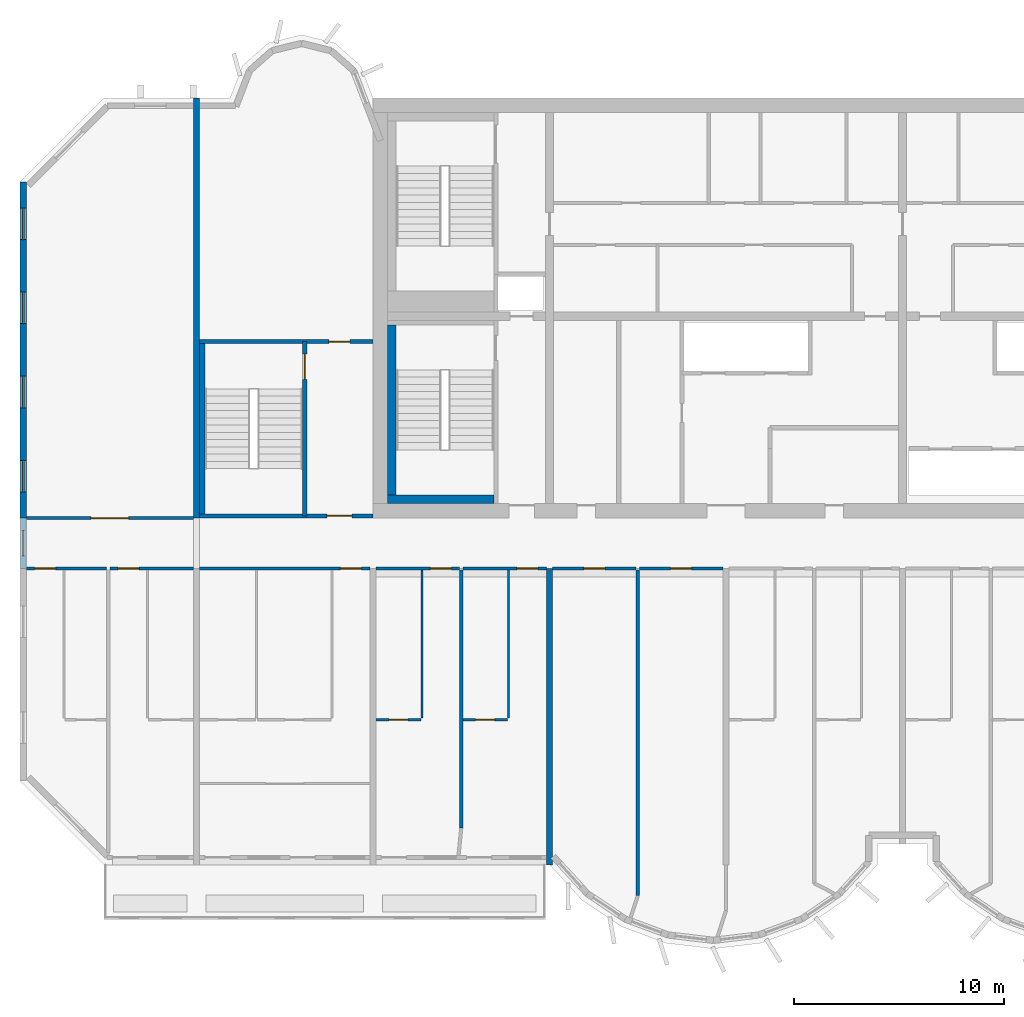
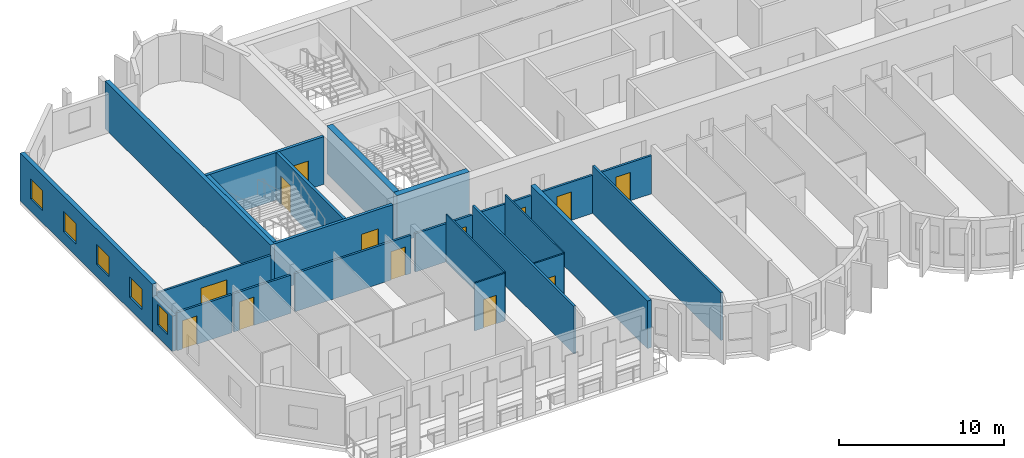
# One storey, part 3 of 13: 24 walls, 13 doors, 5 windows, 18 openings.
"""IFC4 building model written with IfcOpenShell, lengths in metres."""

from ifc_helpers import new_model, si_unit, direction, frame, frame_2d, origin, place, context, subcontext, project, spatial, rectangle, extrude, source, transform, mapped, material, layer, layer_set, type_object, element, fill, save


model = new_model("IFC4")

# Units and contexts
model_context = context("Model", 3, precision=1e-05, world=origin(), true_north=direction((0.0, 1.0)))
body_context = subcontext(model_context, "Body", "Model", "MODEL_VIEW")
ifc_project = project(units=[si_unit("LENGTHUNIT", "METRE"), si_unit("AREAUNIT", "SQUARE_METRE"), si_unit("VOLUMEUNIT", "CUBIC_METRE"), si_unit("PLANEANGLEUNIT", "RADIAN"), si_unit("MASSUNIT", "GRAM", prefix="KILO")], contexts=[model_context])

# Site, building, storey
site_placement = place(None, origin())
site = spatial("IfcSite", under=ifc_project, at=site_placement, CompositionType="ELEMENT")
building_placement = place(site_placement, origin())
building = spatial("IfcBuilding", under=site, at=building_placement, Name="Vanashikhar Sky Hotel", CompositionType="ELEMENT")
storey_placement = place(building_placement, frame((0.0, 0.0, 166.800048828125)))
storey = spatial("IfcBuildingStorey", under=building, at=storey_placement, Name="L40", CompositionType="ELEMENT", Elevation=166.800048828125)

# Wall, openings, windows
ifc_material_1 = material(Name="Concrete M60", Category="concrete")
ifc_layer_1 = layer(ifc_material_1, 0.300048828125)
ifc_layer_set_1 = layer_set([ifc_layer_1], Name="RC shear wall 300 Concrete M60")
wall_type_1 = type_object("IfcWallType", Name="RC shear wall 300 Concrete M60", PredefinedType="SHEAR", material=ifc_layer_set_1)
shared_shape_1 = source(origin(), body_context, "Body", "SweptSolid", [
    extrude(rectangle(XDim=16.0, YDim=0.300048828125, at=frame_2d((8.0, 0.0))), origin(), (0.0, 0.0, 1.0), 3.52001953125),
])
wall_1_placement = place(storey_placement, frame((8.550048828125, 22.0, 0.0), z_axis=(0.0, 0.0, 1.0), x_axis=(0.0, 1.0, 0.0)))
wall_1 = element("IfcWall", 1, at=wall_1_placement, inside=storey, type_object=wall_type_1, Name="CW-L40-XW02-2", PredefinedType="SHEAR", context=body_context, shape_type="MappedRepresentation", body=[
    mapped(shared_shape_1, transform((0.0, 0.0, 0.0), scale=1.0)),
])
shared_shape_2 = source(origin(), body_context, "Body", "SweptSolid", [
    extrude(rectangle(XDim=1.5, YDim=1.5, at=frame_2d((0.75, 0.75))), frame((0.0, 0.16015625, 0.0), z_axis=(0.0, -1.0, 0.0), x_axis=(1.0, 0.0, 0.0)), (0.0, 0.0, 1.0), 0.320068359375),
])
opening_1_placement = place(wall_1_placement, frame((1.25, 0.0, 0.89990234375)))
opening_1 = element("IfcOpeningElement", 2, at=opening_1_placement, cuts=wall_1, Name="Opening WN-1", PredefinedType="OPENING", context=body_context, shape_type="MappedRepresentation", body=[
    mapped(shared_shape_2, transform((0.0, 0.0, 0.0), scale=1.0)),
])
opening_2_placement = place(wall_1_placement, frame((5.25, 0.0, 0.89990234375)))
opening_2 = element("IfcOpeningElement", 3, at=opening_2_placement, cuts=wall_1, Name="Opening WN-1", PredefinedType="OPENING", context=body_context, shape_type="MappedRepresentation", body=[
    mapped(shared_shape_2, transform((0.0, 0.0, 0.0), scale=1.0)),
])
opening_3_placement = place(wall_1_placement, frame((9.25, 0.0, 0.89990234375)))
opening_3 = element("IfcOpeningElement", 4, at=opening_3_placement, cuts=wall_1, Name="Opening WN-1", PredefinedType="OPENING", context=body_context, shape_type="MappedRepresentation", body=[
    mapped(shared_shape_2, transform((0.0, 0.0, 0.0), scale=1.0)),
])
opening_4_placement = place(wall_1_placement, frame((13.25, 0.0, 0.89990234375)))
opening_4 = element("IfcOpeningElement", 5, at=opening_4_placement, cuts=wall_1, Name="Opening WN-1", PredefinedType="OPENING", context=body_context, shape_type="MappedRepresentation", body=[
    mapped(shared_shape_2, transform((0.0, 0.0, 0.0), scale=1.0)),
])
ifc_material_2 = material(Name="Glass", Category="glass")
window_type_1 = type_object("IfcWindowType", Name="Window 1500 x 1500", PartitioningType="SINGLE_PANEL", PredefinedType="WINDOW", material=ifc_material_2)
shared_shape_3 = source(origin(), body_context, "Body", "SweptSolid", [
    extrude(rectangle(XDim=1.5, YDim=1.5, at=frame_2d((0.75, 0.75))), frame((0.0, 0.030029296875, 0.0), z_axis=(0.0, -1.0, 0.0), x_axis=(1.0, 0.0, 0.0)), (0.0, 0.0, 1.0), 0.06005859375),
])
window_1_placement = place(opening_1_placement, origin())
window_1 = element("IfcWindow", 6, at=window_1_placement, inside=storey, type_object=window_type_1, Name="Window WN-1", OverallHeight=1.5, OverallWidth=1.5, PartitioningType="SINGLE_PANEL", PredefinedType="WINDOW", context=body_context, shape_type="MappedRepresentation", body=[
    mapped(shared_shape_3, transform((0.0, 0.0, 0.0), scale=1.0)),
])
fill(opening_1, window_1)
window_2_placement = place(opening_2_placement, origin())
window_2 = element("IfcWindow", 7, at=window_2_placement, inside=storey, type_object=window_type_1, Name="Window WN-1", OverallHeight=1.5, OverallWidth=1.5, PartitioningType="SINGLE_PANEL", PredefinedType="WINDOW", context=body_context, shape_type="MappedRepresentation", body=[
    mapped(shared_shape_3, transform((0.0, 0.0, 0.0), scale=1.0)),
])
fill(opening_2, window_2)
window_3_placement = place(opening_3_placement, origin())
window_3 = element("IfcWindow", 8, at=window_3_placement, inside=storey, type_object=window_type_1, Name="Window WN-1", OverallHeight=1.5, OverallWidth=1.5, PartitioningType="SINGLE_PANEL", PredefinedType="WINDOW", context=body_context, shape_type="MappedRepresentation", body=[
    mapped(shared_shape_3, transform((0.0, 0.0, 0.0), scale=1.0)),
])
fill(opening_3, window_3)
window_4_placement = place(opening_4_placement, origin())
window_4 = element("IfcWindow", 9, at=window_4_placement, inside=storey, type_object=window_type_1, Name="Window WN-1", OverallHeight=1.5, OverallWidth=1.5, PartitioningType="SINGLE_PANEL", PredefinedType="WINDOW", context=body_context, shape_type="MappedRepresentation", body=[
    mapped(shared_shape_3, transform((0.0, 0.0, 0.0), scale=1.0)),
])
fill(opening_4, window_4)

# Walls
shared_shape_4 = source(origin(), body_context, "Body", "SweptSolid", [
    extrude(rectangle(XDim=14.10009765625, YDim=0.300048828125, at=frame_2d((7.050048828125, 0.0))), origin(), (0.0, 0.0, 1.0), 3.52001953125),
])
wall_2_placement = place(storey_placement, frame((33.60009765625, 5.5, 0.0), z_axis=(0.0, 0.0, 1.0), x_axis=(0.0, 1.0, 0.0)))
element("IfcWall", 10, at=wall_2_placement, inside=storey, type_object=wall_type_1, Name="CW-L40-XW05-1", PredefinedType="SHEAR", context=body_context, shape_type="MappedRepresentation", body=[
    mapped(shared_shape_4, transform((0.0, 0.0, 0.0), scale=1.0)),
])
shared_shape_5 = source(origin(), body_context, "Body", "SweptSolid", [
    extrude(rectangle(XDim=20.0, YDim=0.300048828125, at=frame_2d((10.0, 0.0))), origin(), (0.0, 0.0, 1.0), 3.52001953125),
])
wall_3_placement = place(storey_placement, frame((16.800048828125, 22.0, 0.0), z_axis=(0.0, 0.0, 1.0), x_axis=(0.0, 1.0, 0.0)))
element("IfcWall", 11, at=wall_3_placement, inside=storey, type_object=wall_type_1, Name="CW-L40-XW03-2", PredefinedType="SHEAR", context=body_context, shape_type="MappedRepresentation", body=[
    mapped(shared_shape_5, transform((0.0, 0.0, 0.0), scale=1.0)),
])

# Wall, opening, window
ifc_material_3 = material(Name="Concrete M50", Category="concrete")
ifc_layer_2 = layer(ifc_material_3, 0.25)
ifc_layer_set_2 = layer_set([ifc_layer_2], Name="Rear and end board-marked wall 250")
wall_type_2 = type_object("IfcWallType", Name="Rear and end board-marked wall 250", PredefinedType="SOLIDWALL", material=ifc_layer_set_2)
shared_shape_6 = source(origin(), body_context, "Body", "SweptSolid", [
    extrude(rectangle(XDim=2.39990234375, YDim=0.25, at=frame_2d((1.199951171875, 0.0))), origin(), (0.0, 0.0, 1.0), 2.619873046875),
])
wall_4_placement = place(storey_placement, frame((8.550048828125, 19.60009765625, 0.0), z_axis=(0.0, 0.0, 1.0), x_axis=(0.0, 1.0, 0.0)))
wall_4 = element("IfcWall", 12, at=wall_4_placement, inside=storey, type_object=wall_type_2, Name="End corridor infill wall", PredefinedType="SOLIDWALL", context=body_context, shape_type="MappedRepresentation", body=[
    mapped(shared_shape_6, transform((0.0, 0.0, 0.0), scale=1.0)),
])
shared_shape_7 = source(origin(), body_context, "Body", "SweptSolid", [
    extrude(rectangle(XDim=1.199951171875, YDim=1.5, at=frame_2d((0.60009765625, 0.75))), frame((0.0, 0.135009765625, 0.0), z_axis=(0.0, -1.0, 0.0), x_axis=(1.0, 0.0, 0.0)), (0.0, 0.0, 1.0), 0.27001953125),
])
opening_5_placement = place(wall_4_placement, frame((0.60009765625, 0.0, 0.89990234375)))
opening_5 = element("IfcOpeningElement", 13, at=opening_5_placement, cuts=wall_4, Name="Opening WN-3", PredefinedType="OPENING", context=body_context, shape_type="MappedRepresentation", body=[
    mapped(shared_shape_7, transform((0.0, 0.0, 0.0), scale=1.0)),
])
window_type_2 = type_object("IfcWindowType", Name="Corridor end window 1200 x 1500", PartitioningType="SINGLE_PANEL", PredefinedType="WINDOW", material=ifc_material_2)
shared_shape_8 = source(origin(), body_context, "Body", "SweptSolid", [
    extrude(rectangle(XDim=1.199951171875, YDim=1.5, at=frame_2d((0.60009765625, 0.75))), frame((0.0, 0.030029296875, 0.0), z_axis=(0.0, -1.0, 0.0), x_axis=(1.0, 0.0, 0.0)), (0.0, 0.0, 1.0), 0.06005859375),
])
window_5_placement = place(opening_5_placement, origin())
window_5 = element("IfcWindow", 14, at=window_5_placement, inside=storey, type_object=window_type_2, Name="Window WN-3", OverallHeight=1.5, OverallWidth=1.199951171875, PartitioningType="SINGLE_PANEL", PredefinedType="WINDOW", context=body_context, shape_type="MappedRepresentation", body=[
    mapped(shared_shape_8, transform((0.0, 0.0, 0.0), scale=1.0)),
])
fill(opening_5, window_5)

# Wall, opening, door
ifc_layer_3 = layer(ifc_material_3, 0.199951171875)
ifc_layer_set_3 = layer_set([ifc_layer_3], Name="Stair wall 200")
wall_type_3 = type_object("IfcWallType", Name="Stair wall 200", PredefinedType="SOLIDWALL", material=ifc_layer_set_3)
shared_shape_9 = source(origin(), body_context, "Body", "SweptSolid", [
    extrude(rectangle(XDim=8.2998046875, YDim=0.199951171875, at=frame_2d((4.14990234375, 0.0))), origin(), (0.0, 0.0, 1.0), 3.52001953125),
])
wall_5_placement = place(storey_placement, frame((21.949951171875, 22.10009765625, 0.0), z_axis=(0.0, 0.0, 1.0), x_axis=(0.0, 1.0, 0.0)))
wall_5 = element("IfcWall", 15, at=wall_5_placement, inside=storey, type_object=wall_type_3, Name="Stair wall 200", PredefinedType="SOLIDWALL", context=body_context, shape_type="MappedRepresentation", body=[
    mapped(shared_shape_9, transform((0.0, 0.0, 0.0), scale=1.0)),
])
shared_shape_10 = source(origin(), body_context, "Body", "SweptSolid", [
    extrude(rectangle(XDim=1.199951171875, YDim=2.10009765625, at=frame_2d((0.60009765625, 1.050048828125))), frame((0.0, 0.10986328125, 0.0), z_axis=(0.0, -1.0, 0.0), x_axis=(1.0, 0.0, 0.0)), (0.0, 0.0, 1.0), 0.219970703125),
])
opening_6_placement = place(wall_5_placement, frame((6.5, 0.0, 0.0)))
opening_6 = element("IfcOpeningElement", 16, at=opening_6_placement, cuts=wall_5, Name="Opening DC-1", PredefinedType="OPENING", context=body_context, shape_type="MappedRepresentation", body=[
    mapped(shared_shape_10, transform((0.0, 0.0, 0.0), scale=1.0)),
])
ifc_material_4 = material(Name="Steel", Category="steel")
door_type_1 = type_object("IfcDoorType", Name="Stair door 1200 FD120", OperationType="NOTDEFINED", PredefinedType="DOOR", material=ifc_material_4)
shared_shape_11 = source(origin(), body_context, "Body", "SweptSolid", [
    extrude(rectangle(XDim=1.199951171875, YDim=2.10009765625, at=frame_2d((0.60009765625, 1.050048828125))), frame((0.0, 0.02490234375, 0.0), z_axis=(0.0, -1.0, 0.0), x_axis=(1.0, 0.0, 0.0)), (0.0, 0.0, 1.0), 0.050048828125),
])
door_1_placement = place(opening_6_placement, origin())
door_1 = element("IfcDoor", 17, at=door_1_placement, inside=storey, type_object=door_type_1, Name="Stair door 1200 FD120", OperationType="SINGLE_SWING_RIGHT", OverallHeight=2.10009765625, OverallWidth=1.199951171875, PredefinedType="DOOR", context=body_context, shape_type="MappedRepresentation", body=[
    mapped(shared_shape_11, transform((0.0, 0.0, 0.0), scale=1.0)),
])
fill(opening_6, door_1)

shared_shape_12 = source(origin(), body_context, "Body", "SweptSolid", [
    extrude(rectangle(XDim=8.25, YDim=0.199951171875, at=frame_2d((4.125, 0.0))), origin(), (0.0, 0.0, 1.0), 3.52001953125),
])
wall_6_placement = place(storey_placement, frame((16.949951171875, 22.10009765625, 0.0), z_axis=(0.0, 0.0, 1.0), x_axis=(1.0, 0.0, 0.0)))
wall_6 = element("IfcWall", 18, at=wall_6_placement, inside=storey, type_object=wall_type_3, Name="Stair wall 200", PredefinedType="SOLIDWALL", context=body_context, shape_type="MappedRepresentation", body=[
    mapped(shared_shape_12, transform((0.0, 0.0, 0.0), scale=1.0)),
])
opening_7_placement = place(wall_6_placement, frame((6.050048828125, 0.0, 0.0)))
opening_7 = element("IfcOpeningElement", 19, at=opening_7_placement, cuts=wall_6, Name="Opening DC-2", PredefinedType="OPENING", context=body_context, shape_type="MappedRepresentation", body=[
    mapped(shared_shape_10, transform((0.0, 0.0, 0.0), scale=1.0)),
])
door_type_2 = type_object("IfcDoorType", Name="Firefighting lobby door 1200 FD120", OperationType="NOTDEFINED", PredefinedType="DOOR", material=ifc_material_4)
door_2_placement = place(opening_7_placement, origin())
door_2 = element("IfcDoor", 20, at=door_2_placement, inside=storey, type_object=door_type_2, Name="Firefighting lobby door 1200 FD120", OperationType="SINGLE_SWING_RIGHT", OverallHeight=2.10009765625, OverallWidth=1.199951171875, PredefinedType="DOOR", context=body_context, shape_type="MappedRepresentation", body=[
    mapped(shared_shape_11, transform((0.0, 0.0, 0.0), scale=1.0)),
])
fill(opening_7, door_2)

wall_7_placement = place(storey_placement, frame((16.949951171875, 30.39990234375, 0.0), z_axis=(0.0, 0.0, 1.0), x_axis=(1.0, 0.0, 0.0)))
wall_7 = element("IfcWall", 21, at=wall_7_placement, inside=storey, type_object=wall_type_3, Name="Stair wall 200", PredefinedType="SOLIDWALL", context=body_context, shape_type="MappedRepresentation", body=[
    mapped(shared_shape_12, transform((0.0, 0.0, 0.0), scale=1.0)),
])
shared_shape_13 = source(origin(), body_context, "Body", "SweptSolid", [
    extrude(rectangle(XDim=1.0, YDim=2.10009765625, at=frame_2d((0.5, 1.050048828125))), frame((0.0, 0.10986328125, 0.0), z_axis=(0.0, -1.0, 0.0), x_axis=(1.0, 0.0, 0.0)), (0.0, 0.0, 1.0), 0.219970703125),
])
opening_8_placement = place(wall_7_placement, frame((6.14990234375, 0.0, 0.0)))
opening_8 = element("IfcOpeningElement", 22, at=opening_8_placement, cuts=wall_7, Name="Opening DC-6", PredefinedType="OPENING", context=body_context, shape_type="MappedRepresentation", body=[
    mapped(shared_shape_13, transform((0.0, 0.0, 0.0), scale=1.0)),
])
door_type_3 = type_object("IfcDoorType", Name="Pocket door 1000 FD60", OperationType="NOTDEFINED", PredefinedType="DOOR", material=ifc_material_4)
shared_shape_14 = source(origin(), body_context, "Body", "SweptSolid", [
    extrude(rectangle(XDim=1.0, YDim=2.10009765625, at=frame_2d((0.5, 1.050048828125))), frame((0.0, 0.02490234375, 0.0), z_axis=(0.0, -1.0, 0.0), x_axis=(1.0, 0.0, 0.0)), (0.0, 0.0, 1.0), 0.050048828125),
])
door_3_placement = place(opening_8_placement, origin())
door_3 = element("IfcDoor", 23, at=door_3_placement, inside=storey, type_object=door_type_3, Name="Pocket door 1000 FD60", OperationType="SINGLE_SWING_RIGHT", OverallHeight=2.10009765625, OverallWidth=1.0, PredefinedType="DOOR", context=body_context, shape_type="MappedRepresentation", body=[
    mapped(shared_shape_14, transform((0.0, 0.0, 0.0), scale=1.0)),
])
fill(opening_8, door_3)

# Walls
ifc_layer_4 = layer(ifc_material_3, 0.39990234375)
ifc_layer_set_4 = layer_set([ifc_layer_4], Name="Stair infill wall 400")
wall_type_4 = type_object("IfcWallType", Name="Stair infill wall 400", PredefinedType="SOLIDWALL", material=ifc_layer_set_4)
shared_shape_15 = source(origin(), body_context, "Body", "SweptSolid", [
    extrude(rectangle(XDim=5.050048828125, YDim=0.39990234375, at=frame_2d((2.52490234375, 0.0))), origin(), (0.0, 0.0, 1.0), 3.52001953125),
])
wall_8_placement = place(storey_placement, frame((25.89990234375, 22.89990234375, 0.0), z_axis=(0.0, 0.0, 1.0), x_axis=(1.0, 0.0, 0.0)))
element("IfcWall", 24, at=wall_8_placement, inside=storey, type_object=wall_type_4, Name="Stair infill wall 400", PredefinedType="SOLIDWALL", context=body_context, shape_type="MappedRepresentation", body=[
    mapped(shared_shape_15, transform((0.0, 0.0, 0.0), scale=1.0)),
])
shared_shape_16 = source(origin(), body_context, "Body", "SweptSolid", [
    extrude(rectangle(XDim=8.099853515625, YDim=0.39990234375, at=frame_2d((4.0498046875, 0.0))), origin(), (0.0, 0.0, 1.0), 3.52001953125),
])
wall_9_placement = place(storey_placement, frame((26.10009765625, 23.10009765625, 0.0), z_axis=(0.0, 0.0, 1.0), x_axis=(0.0, 1.0, 0.0)))
element("IfcWall", 25, at=wall_9_placement, inside=storey, type_object=wall_type_4, Name="Stair infill wall 400", PredefinedType="SOLIDWALL", context=body_context, shape_type="MappedRepresentation", body=[
    mapped(shared_shape_16, transform((0.0, 0.0, 0.0), scale=1.0)),
])
ifc_layer_5 = layer(ifc_material_3, 0.25)
ifc_layer_set_5 = layer_set([ifc_layer_5], Name="Stair infill wall 250")
wall_type_5 = type_object("IfcWallType", Name="Stair infill wall 250", PredefinedType="SOLIDWALL", material=ifc_layer_set_5)
shared_shape_17 = source(origin(), body_context, "Body", "SweptSolid", [
    extrude(rectangle(XDim=8.10009765625, YDim=0.25, at=frame_2d((4.050048828125, 0.0))), origin(), (0.0, 0.0, 1.0), 3.52001953125),
])
wall_10_placement = place(storey_placement, frame((17.074951171875, 22.199951171875, 0.0), z_axis=(0.0, 0.0, 1.0), x_axis=(0.0, 1.0, 0.0)))
element("IfcWall", 26, at=wall_10_placement, inside=storey, type_object=wall_type_5, Name="Stair infill wall 250", PredefinedType="SOLIDWALL", context=body_context, shape_type="MappedRepresentation", body=[
    mapped(shared_shape_17, transform((0.0, 0.0, 0.0), scale=1.0)),
])
ifc_material_5 = material(Name="Gypsum plasterboard partition")
ifc_layer_6 = layer(ifc_material_5, 0.10009765625)
ifc_layer_set_6 = layer_set([ifc_layer_6], Name="Wet room partition 100")
wall_type_6 = type_object("IfcWallType", Name="Wet room partition 100", PredefinedType="PARTITIONING", material=ifc_layer_set_6)
shared_shape_18 = source(origin(), body_context, "Body", "SweptSolid", [
    extrude(rectangle(XDim=7.0498046875, YDim=0.10009765625, at=frame_2d((3.52490234375, 0.0))), origin(), (0.0, 0.0, 1.0), 3.52001953125),
])
for number, where, z_axis, x_axis, name in (
    (27, (27.52490234375, 12.47509765625, 0.0), (0.0, 0.0, 1.0), (0.0, 1.0, 0.0), "W-L40-PW014"),
    (28, (31.64990234375, 12.47509765625, 0.0), (0.0, 0.0, 1.0), (0.0, 1.0, 0.0), "W-L40-PW017"),
):
    element("IfcWall", number, at=place(storey_placement, frame(where, z_axis=z_axis, x_axis=x_axis)), inside=storey, type_object=wall_type_6, Name=name, PredefinedType="PARTITIONING", context=body_context, shape_type="MappedRepresentation", body=[
        mapped(shared_shape_18, transform((0.0, 0.0, 0.0), scale=1.0)),
    ])

# Wall, opening, door
ifc_layer_7 = layer(ifc_material_5, 0.14990234375)
ifc_layer_set_7 = layer_set([ifc_layer_7], Name="Corridor and demising partition 150")
wall_type_7 = type_object("IfcWallType", Name="Corridor and demising partition 150", PredefinedType="PARTITIONING", material=ifc_layer_set_7)
shared_shape_19 = source(origin(), body_context, "Body", "SweptSolid", [
    extrude(rectangle(XDim=7.949951171875, YDim=0.14990234375, at=frame_2d((3.97509765625, 0.0))), origin(), (0.0, 0.0, 1.0), 2.820068359375),
])
wall_11_placement = place(storey_placement, frame((8.699951171875, 22.0, 0.0), z_axis=(0.0, 0.0, 1.0), x_axis=(1.0, 0.0, 0.0)))
wall_11 = element("IfcWall", 29, at=wall_11_placement, inside=storey, type_object=wall_type_7, Name="W-L40-PW059", PredefinedType="PARTITIONING", context=body_context, shape_type="MappedRepresentation", body=[
    mapped(shared_shape_19, transform((0.0, 0.0, 0.0), scale=1.0)),
])
shared_shape_20 = source(origin(), body_context, "Body", "SweptSolid", [
    extrude(rectangle(XDim=1.800048828125, YDim=2.10009765625, at=frame_2d((0.89990234375, 1.050048828125))), frame((0.0, 0.0849609375, 0.0), z_axis=(0.0, -1.0, 0.0), x_axis=(1.0, 0.0, 0.0)), (0.0, 0.0, 1.0), 0.169921875),
])
opening_9_placement = place(wall_11_placement, frame((3.074951171875, 0.0, 0.0)))
opening_9 = element("IfcOpeningElement", 30, at=opening_9_placement, cuts=wall_11, Name="Opening D-03", PredefinedType="OPENING", context=body_context, shape_type="MappedRepresentation", body=[
    mapped(shared_shape_20, transform((0.0, 0.0, 0.0), scale=1.0)),
])
ifc_material_6 = material(Name="Timber fire door", Category="wood")
door_type_4 = type_object("IfcDoorType", Name="Double leaf door 1800 FD30S", OperationType="NOTDEFINED", PredefinedType="DOOR", material=ifc_material_6)
shared_shape_21 = source(origin(), body_context, "Body", "SweptSolid", [
    extrude(rectangle(XDim=1.800048828125, YDim=2.10009765625, at=frame_2d((0.89990234375, 1.050048828125))), frame((0.0, 0.02490234375, 0.0), z_axis=(0.0, -1.0, 0.0), x_axis=(1.0, 0.0, 0.0)), (0.0, 0.0, 1.0), 0.050048828125),
])
door_4_placement = place(opening_9_placement, origin())
door_4 = element("IfcDoor", 31, at=door_4_placement, inside=storey, type_object=door_type_4, Name="D-L40-035", OperationType="DOUBLE_DOOR_SINGLE_SWING", OverallHeight=2.10009765625, OverallWidth=1.800048828125, PredefinedType="DOOR", context=body_context, shape_type="MappedRepresentation", body=[
    mapped(shared_shape_21, transform((0.0, 0.0, 0.0), scale=1.0)),
])
fill(opening_9, door_4)

# Walls
shared_shape_22 = source(origin(), body_context, "Body", "SweptSolid", [
    extrude(rectangle(XDim=12.27490234375, YDim=0.14990234375, at=frame_2d((6.137451171875, 0.0))), origin(), (0.0, 0.0, 1.0), 3.52001953125),
])
wall_12_placement = place(storey_placement, frame((29.39990234375, 7.25, 0.0), z_axis=(0.0, 0.0, 1.0), x_axis=(0.0, 1.0, 0.0)))
element("IfcWall", 32, at=wall_12_placement, inside=storey, type_object=wall_type_7, Name="W-L40-PW020", PredefinedType="PARTITIONING", context=body_context, shape_type="MappedRepresentation", body=[
    mapped(shared_shape_22, transform((0.0, 0.0, 0.0), scale=1.0)),
])
shared_shape_23 = source(origin(), body_context, "Body", "SweptSolid", [
    extrude(rectangle(XDim=15.497802734375, YDim=0.14990234375, at=frame_2d((7.7490234375, 0.0))), origin(), (0.0, 0.0, 1.0), 3.52001953125),
])
wall_13_placement = place(storey_placement, frame((37.800048828125, 4.027099609375, 0.0), z_axis=(0.0, 0.0, 1.0), x_axis=(0.0, 1.0, 0.0)))
element("IfcWall", 33, at=wall_13_placement, inside=storey, type_object=wall_type_7, Name="W-L40-PW023", PredefinedType="PARTITIONING", context=body_context, shape_type="MappedRepresentation", body=[
    mapped(shared_shape_23, transform((0.0, 0.0, 0.0), scale=1.0)),
])

# Wall, opening, door
shared_shape_24 = source(origin(), body_context, "Body", "SweptSolid", [
    extrude(rectangle(XDim=2.125, YDim=0.10009765625, at=frame_2d((1.0625, 0.0))), origin(), (0.0, 0.0, 1.0), 3.52001953125),
])
wall_14_placement = place(storey_placement, frame((25.35009765625, 12.39990234375, 0.0), z_axis=(0.0, 0.0, 1.0), x_axis=(1.0, 0.0, 0.0)))
wall_14 = element("IfcWall", 34, at=wall_14_placement, inside=storey, type_object=wall_type_6, Name="W-L40-PW015", PredefinedType="PARTITIONING", context=body_context, shape_type="MappedRepresentation", body=[
    mapped(shared_shape_24, transform((0.0, 0.0, 0.0), scale=1.0)),
])
shared_shape_25 = source(origin(), body_context, "Body", "SweptSolid", [
    extrude(rectangle(XDim=0.89990234375, YDim=2.10009765625, at=frame_2d((0.449951171875, 1.050048828125))), frame((0.0, 0.06005859375, 0.0), z_axis=(0.0, -1.0, 0.0), x_axis=(1.0, 0.0, 0.0)), (0.0, 0.0, 1.0), 0.1201171875),
])
opening_10_placement = place(wall_14_placement, frame((0.613037109375, 0.0, 0.0)))
opening_10 = element("IfcOpeningElement", 35, at=opening_10_placement, cuts=wall_14, Name="Opening D-02", PredefinedType="OPENING", context=body_context, shape_type="MappedRepresentation", body=[
    mapped(shared_shape_25, transform((0.0, 0.0, 0.0), scale=1.0)),
])
ifc_material_7 = material(Name="Timber door", Category="wood")
door_type_5 = type_object("IfcDoorType", Name="Internal door 900", OperationType="NOTDEFINED", PredefinedType="DOOR", material=ifc_material_7)
shared_shape_26 = source(origin(), body_context, "Body", "SweptSolid", [
    extrude(rectangle(XDim=0.89990234375, YDim=2.10009765625, at=frame_2d((0.449951171875, 1.050048828125))), frame((0.0, 0.02490234375, 0.0), z_axis=(0.0, -1.0, 0.0), x_axis=(1.0, 0.0, 0.0)), (0.0, 0.0, 1.0), 0.050048828125),
])
door_5_placement = place(opening_10_placement, origin())
door_5 = element("IfcDoor", 36, at=door_5_placement, inside=storey, type_object=door_type_5, Name="D-L40-009", OperationType="SINGLE_SWING_RIGHT", OverallHeight=2.10009765625, OverallWidth=0.89990234375, PredefinedType="DOOR", context=body_context, shape_type="MappedRepresentation", body=[
    mapped(shared_shape_26, transform((0.0, 0.0, 0.0), scale=1.0)),
])
fill(opening_10, door_5)

wall_15_placement = place(storey_placement, frame((29.47509765625, 12.39990234375, 0.0), z_axis=(0.0, 0.0, 1.0), x_axis=(1.0, 0.0, 0.0)))
wall_15 = element("IfcWall", 37, at=wall_15_placement, inside=storey, type_object=wall_type_6, Name="W-L40-PW018", PredefinedType="PARTITIONING", context=body_context, shape_type="MappedRepresentation", body=[
    mapped(shared_shape_24, transform((0.0, 0.0, 0.0), scale=1.0)),
])
opening_11_placement = place(wall_15_placement, frame((0.613037109375, 0.0, 0.0)))
opening_11 = element("IfcOpeningElement", 38, at=opening_11_placement, cuts=wall_15, Name="Opening D-02", PredefinedType="OPENING", context=body_context, shape_type="MappedRepresentation", body=[
    mapped(shared_shape_25, transform((0.0, 0.0, 0.0), scale=1.0)),
])
door_6_placement = place(opening_11_placement, origin())
door_6 = element("IfcDoor", 39, at=door_6_placement, inside=storey, type_object=door_type_5, Name="D-L40-011", OperationType="SINGLE_SWING_RIGHT", OverallHeight=2.10009765625, OverallWidth=0.89990234375, PredefinedType="DOOR", context=body_context, shape_type="MappedRepresentation", body=[
    mapped(shared_shape_26, transform((0.0, 0.0, 0.0), scale=1.0)),
])
fill(opening_11, door_6)

shared_shape_27 = source(origin(), body_context, "Body", "SweptSolid", [
    extrude(rectangle(XDim=8.10009765625, YDim=0.14990234375, at=frame_2d((4.050048828125, 0.0))), origin(), (0.0, 0.0, 1.0), 2.820068359375),
])
wall_16_placement = place(storey_placement, frame((16.949951171875, 19.60009765625, 0.0), z_axis=(0.0, 0.0, 1.0), x_axis=(1.0, 0.0, 0.0)))
wall_16 = element("IfcWall", 40, at=wall_16_placement, inside=storey, type_object=wall_type_7, Name="W-L40-PW013", PredefinedType="PARTITIONING", context=body_context, shape_type="MappedRepresentation", body=[
    mapped(shared_shape_27, transform((0.0, 0.0, 0.0), scale=1.0)),
])
shared_shape_28 = source(origin(), body_context, "Body", "SweptSolid", [
    extrude(rectangle(XDim=1.0, YDim=2.10009765625, at=frame_2d((0.5, 1.050048828125))), frame((0.0, 0.0849609375, 0.0), z_axis=(0.0, -1.0, 0.0), x_axis=(1.0, 0.0, 0.0)), (0.0, 0.0, 1.0), 0.169921875),
])
opening_12_placement = place(wall_16_placement, frame((6.699951171875, 0.0, 0.0)))
opening_12 = element("IfcOpeningElement", 41, at=opening_12_placement, cuts=wall_16, Name="Opening D-01", PredefinedType="OPENING", context=body_context, shape_type="MappedRepresentation", body=[
    mapped(shared_shape_28, transform((0.0, 0.0, 0.0), scale=1.0)),
])
door_type_6 = type_object("IfcDoorType", Name="Guest entry door 1000 FD30S", OperationType="NOTDEFINED", PredefinedType="DOOR", material=ifc_material_6)
door_7_placement = place(opening_12_placement, origin())
door_7 = element("IfcDoor", 42, at=door_7_placement, inside=storey, type_object=door_type_6, Name="D-L40-008", OperationType="SINGLE_SWING_RIGHT", OverallHeight=2.10009765625, OverallWidth=1.0, PredefinedType="DOOR", context=body_context, shape_type="MappedRepresentation", body=[
    mapped(shared_shape_14, transform((0.0, 0.0, 0.0), scale=1.0)),
])
fill(opening_12, door_7)

shared_shape_29 = source(origin(), body_context, "Body", "SweptSolid", [
    extrude(rectangle(XDim=3.974853515625, YDim=0.14990234375, at=frame_2d((1.9873046875, 0.0))), origin(), (0.0, 0.0, 1.0), 2.820068359375),
])
wall_17_placement = place(storey_placement, frame((12.675048828125, 19.60009765625, 0.0), z_axis=(0.0, 0.0, 1.0), x_axis=(1.0, 0.0, 0.0)))
wall_17 = element("IfcWall", 43, at=wall_17_placement, inside=storey, type_object=wall_type_7, Name="W-L40-PW006", PredefinedType="PARTITIONING", context=body_context, shape_type="MappedRepresentation", body=[
    mapped(shared_shape_29, transform((0.0, 0.0, 0.0), scale=1.0)),
])
opening_13_placement = place(wall_17_placement, frame((0.39990234375, 0.0, 0.0)))
opening_13 = element("IfcOpeningElement", 44, at=opening_13_placement, cuts=wall_17, Name="Opening D-01", PredefinedType="OPENING", context=body_context, shape_type="MappedRepresentation", body=[
    mapped(shared_shape_28, transform((0.0, 0.0, 0.0), scale=1.0)),
])
door_8_placement = place(opening_13_placement, origin())
door_8 = element("IfcDoor", 45, at=door_8_placement, inside=storey, type_object=door_type_6, Name="D-L40-004", OperationType="SINGLE_SWING_LEFT", OverallHeight=2.10009765625, OverallWidth=1.0, PredefinedType="DOOR", context=body_context, shape_type="MappedRepresentation", body=[
    mapped(shared_shape_14, transform((0.0, 0.0, 0.0), scale=1.0)),
])
fill(opening_13, door_8)

wall_18_placement = place(storey_placement, frame((25.35009765625, 19.60009765625, 0.0), z_axis=(0.0, 0.0, 1.0), x_axis=(1.0, 0.0, 0.0)))
wall_18 = element("IfcWall", 46, at=wall_18_placement, inside=storey, type_object=wall_type_7, Name="W-L40-PW016", PredefinedType="PARTITIONING", context=body_context, shape_type="MappedRepresentation", body=[
    mapped(shared_shape_29, transform((0.0, 0.0, 0.0), scale=1.0)),
])
opening_14_placement = place(wall_18_placement, frame((2.574951171875, 0.0, 0.0)))
opening_14 = element("IfcOpeningElement", 47, at=opening_14_placement, cuts=wall_18, Name="Opening D-01", PredefinedType="OPENING", context=body_context, shape_type="MappedRepresentation", body=[
    mapped(shared_shape_28, transform((0.0, 0.0, 0.0), scale=1.0)),
])
door_9_placement = place(opening_14_placement, origin())
door_9 = element("IfcDoor", 48, at=door_9_placement, inside=storey, type_object=door_type_6, Name="D-L40-010", OperationType="SINGLE_SWING_RIGHT", OverallHeight=2.10009765625, OverallWidth=1.0, PredefinedType="DOOR", context=body_context, shape_type="MappedRepresentation", body=[
    mapped(shared_shape_14, transform((0.0, 0.0, 0.0), scale=1.0)),
])
fill(opening_14, door_9)

wall_19_placement = place(storey_placement, frame((29.47509765625, 19.60009765625, 0.0), z_axis=(0.0, 0.0, 1.0), x_axis=(1.0, 0.0, 0.0)))
wall_19 = element("IfcWall", 49, at=wall_19_placement, inside=storey, type_object=wall_type_7, Name="W-L40-PW019", PredefinedType="PARTITIONING", context=body_context, shape_type="MappedRepresentation", body=[
    mapped(shared_shape_29, transform((0.0, 0.0, 0.0), scale=1.0)),
])
opening_15_placement = place(wall_19_placement, frame((2.574951171875, 0.0, 0.0)))
opening_15 = element("IfcOpeningElement", 50, at=opening_15_placement, cuts=wall_19, Name="Opening D-01", PredefinedType="OPENING", context=body_context, shape_type="MappedRepresentation", body=[
    mapped(shared_shape_28, transform((0.0, 0.0, 0.0), scale=1.0)),
])
door_10_placement = place(opening_15_placement, origin())
door_10 = element("IfcDoor", 51, at=door_10_placement, inside=storey, type_object=door_type_6, Name="D-L40-012", OperationType="SINGLE_SWING_RIGHT", OverallHeight=2.10009765625, OverallWidth=1.0, PredefinedType="DOOR", context=body_context, shape_type="MappedRepresentation", body=[
    mapped(shared_shape_14, transform((0.0, 0.0, 0.0), scale=1.0)),
])
fill(opening_15, door_10)

shared_shape_30 = source(origin(), body_context, "Body", "SweptSolid", [
    extrude(rectangle(XDim=3.97509765625, YDim=0.14990234375, at=frame_2d((1.987548828125, 0.0))), origin(), (0.0, 0.0, 1.0), 2.820068359375),
])
wall_20_placement = place(storey_placement, frame((33.75, 19.60009765625, 0.0), z_axis=(0.0, 0.0, 1.0), x_axis=(1.0, 0.0, 0.0)))
wall_20 = element("IfcWall", 52, at=wall_20_placement, inside=storey, type_object=wall_type_7, Name="W-L40-PW021", PredefinedType="PARTITIONING", context=body_context, shape_type="MappedRepresentation", body=[
    mapped(shared_shape_30, transform((0.0, 0.0, 0.0), scale=1.0)),
])
opening_16_placement = place(wall_20_placement, frame((1.487060546875, 0.0, 0.0)))
opening_16 = element("IfcOpeningElement", 53, at=opening_16_placement, cuts=wall_20, Name="Opening D-01", PredefinedType="OPENING", context=body_context, shape_type="MappedRepresentation", body=[
    mapped(shared_shape_28, transform((0.0, 0.0, 0.0), scale=1.0)),
])
door_11_placement = place(opening_16_placement, origin())
door_11 = element("IfcDoor", 54, at=door_11_placement, inside=storey, type_object=door_type_6, Name="D-L40-013", OperationType="SINGLE_SWING_LEFT", OverallHeight=2.10009765625, OverallWidth=1.0, PredefinedType="DOOR", context=body_context, shape_type="MappedRepresentation", body=[
    mapped(shared_shape_14, transform((0.0, 0.0, 0.0), scale=1.0)),
])
fill(opening_16, door_11)

wall_21_placement = place(storey_placement, frame((37.875, 19.60009765625, 0.0), z_axis=(0.0, 0.0, 1.0), x_axis=(1.0, 0.0, 0.0)))
wall_21 = element("IfcWall", 55, at=wall_21_placement, inside=storey, type_object=wall_type_7, Name="W-L40-PW022", PredefinedType="PARTITIONING", context=body_context, shape_type="MappedRepresentation", body=[
    mapped(shared_shape_30, transform((0.0, 0.0, 0.0), scale=1.0)),
])
opening_17_placement = place(wall_21_placement, frame((1.487060546875, 0.0, 0.0)))
opening_17 = element("IfcOpeningElement", 56, at=opening_17_placement, cuts=wall_21, Name="Opening D-01", PredefinedType="OPENING", context=body_context, shape_type="MappedRepresentation", body=[
    mapped(shared_shape_28, transform((0.0, 0.0, 0.0), scale=1.0)),
])
door_12_placement = place(opening_17_placement, origin())
door_12 = element("IfcDoor", 57, at=door_12_placement, inside=storey, type_object=door_type_6, Name="D-L40-014", OperationType="SINGLE_SWING_RIGHT", OverallHeight=2.10009765625, OverallWidth=1.0, PredefinedType="DOOR", context=body_context, shape_type="MappedRepresentation", body=[
    mapped(shared_shape_14, transform((0.0, 0.0, 0.0), scale=1.0)),
])
fill(opening_17, door_12)

shared_shape_31 = source(origin(), body_context, "Body", "SweptSolid", [
    extrude(rectangle(XDim=3.824951171875, YDim=0.14990234375, at=frame_2d((1.91259765625, 0.0))), origin(), (0.0, 0.0, 1.0), 2.820068359375),
])
wall_22_placement = place(storey_placement, frame((8.699951171875, 19.60009765625, 0.0), z_axis=(0.0, 0.0, 1.0), x_axis=(1.0, 0.0, 0.0)))
wall_22 = element("IfcWall", 58, at=wall_22_placement, inside=storey, type_object=wall_type_7, Name="W-L40-PW003", PredefinedType="PARTITIONING", context=body_context, shape_type="MappedRepresentation", body=[
    mapped(shared_shape_31, transform((0.0, 0.0, 0.0), scale=1.0)),
])
opening_18_placement = place(wall_22_placement, frame((0.39990234375, 0.0, 0.0)))
opening_18 = element("IfcOpeningElement", 59, at=opening_18_placement, cuts=wall_22, Name="Opening D-01", PredefinedType="OPENING", context=body_context, shape_type="MappedRepresentation", body=[
    mapped(shared_shape_28, transform((0.0, 0.0, 0.0), scale=1.0)),
])
door_13_placement = place(opening_18_placement, origin())
door_13 = element("IfcDoor", 60, at=door_13_placement, inside=storey, type_object=door_type_6, Name="D-L40-002", OperationType="SINGLE_SWING_LEFT", OverallHeight=2.10009765625, OverallWidth=1.0, PredefinedType="DOOR", context=body_context, shape_type="MappedRepresentation", body=[
    mapped(shared_shape_14, transform((0.0, 0.0, 0.0), scale=1.0)),
])
fill(opening_18, door_13)

save(model, "model.ifc")
